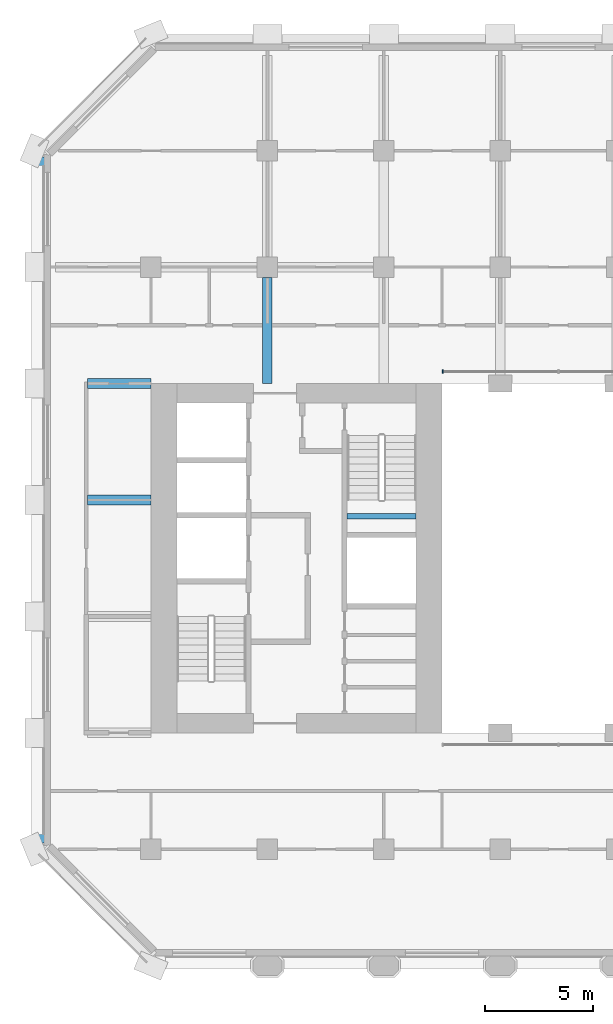
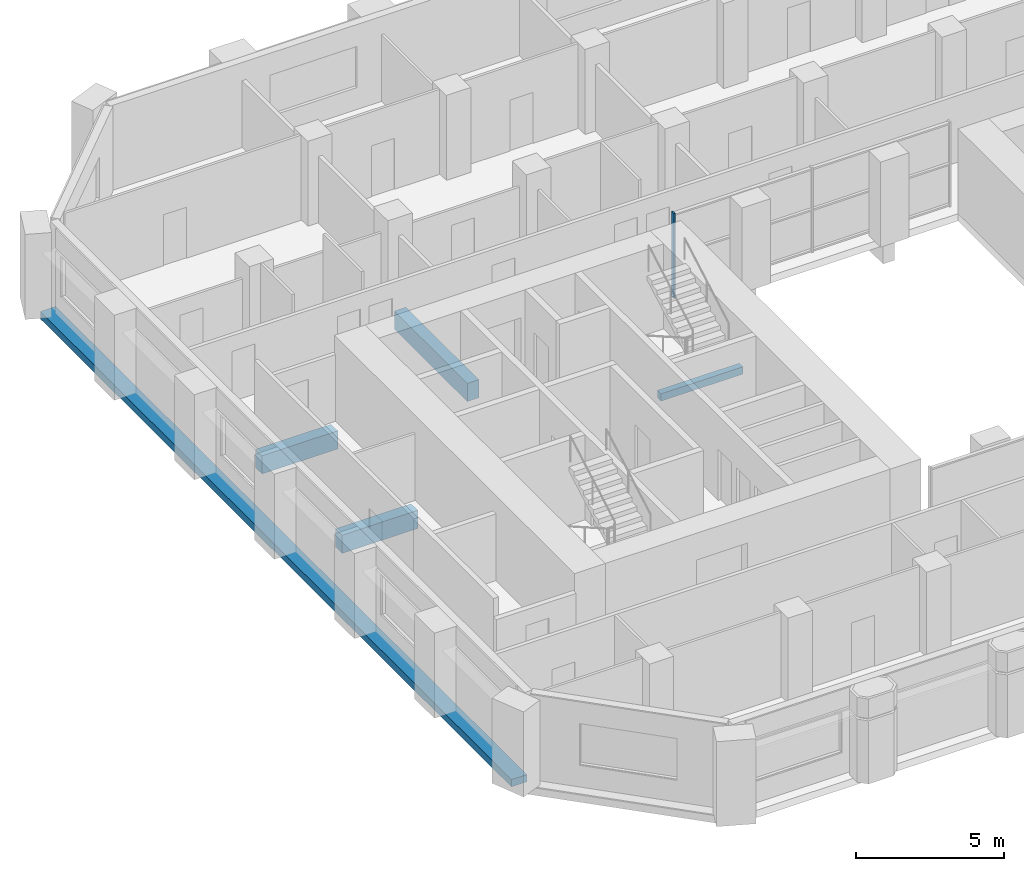
# One storey, part 3 of 13: 5 beams, 1 member, 1 element without a shape of its own.
"""IFC4 building model written with IfcOpenShell, lengths in metres."""

import ifcopenshell
import ifcopenshell.guid

model = None  # the IFC model being written
_history = None  # IfcOwnerHistory: only IFC2X3 demands one
_inside = {}  # id of a spatial element -> (the spatial element, [elements in it])
_under = {}  # id of a project, library or spatial element -> (it, [spatial elements below it])
_declared = {}  # id of a project -> (the project, [libraries it declares])
_typed = {}  # id of a type object -> (the type object, [elements of that type])
_made_of = {}  # id of a material, layer set ... -> (it, [elements and type objects made of it])


def new_model(schema):
    """Start an empty IFC model of exactly this schema.

    Asked for "IFC4X3", IfcOpenShell would pick the latest addendum, in which some entities
    have other attributes; the version numbers below select the first issue.
    IFC2X3 requires an IfcOwnerHistory on every rooted entity: one is made here for all.
    """
    global model, _history
    if schema == "IFC4X3":
        model = ifcopenshell.file(schema_version=(4, 3, 0, 0))
    else:
        model = ifcopenshell.file(schema=schema)
    _inside.clear()
    _under.clear()
    _declared.clear()
    _typed.clear()
    _made_of.clear()
    _history = None
    if model.schema == "IFC2X3":
        org = make("IfcOrganization", Name="unknown")
        user = make(
            "IfcPersonAndOrganization",
            ThePerson=make("IfcPerson", FamilyName="unknown"),
            TheOrganization=org,
        )
        app = make(
            "IfcApplication",
            ApplicationDeveloper=org,
            Version="unknown",
            ApplicationFullName="unknown",
            ApplicationIdentifier="unknown",
        )
        _history = make(
            "IfcOwnerHistory",
            OwningUser=user,
            OwningApplication=app,
            ChangeAction="ADDED",
            CreationDate=0,
        )
    return model


def make(cls, **values):
    """One entity of the class cls with the attributes given. An attribute that is None is left unset."""
    return model.create_entity(
        cls, **{name: value for name, value in values.items() if value is not None}
    )


def rooted(cls, **values):
    """An entity with a GlobalId (a new one), such as an element, a storey or a relation."""
    return make(cls, GlobalId=ifcopenshell.guid.new(), OwnerHistory=_history, **values)


def si_unit(unit_type, name, prefix=None):
    """IfcSIUnit, for example si_unit("LENGTHUNIT", "METRE", prefix="MILLI")."""
    return make("IfcSIUnit", UnitType=unit_type, Prefix=prefix, Name=name)


def assignment(units):
    """IfcUnitAssignment: the units of a project."""
    return None if units is None else make("IfcUnitAssignment", Units=units)


def point(xyz):
    """IfcCartesianPoint."""
    return None if xyz is None else make("IfcCartesianPoint", Coordinates=xyz)


def direction(xyz):
    """IfcDirection."""
    return None if xyz is None else make("IfcDirection", DirectionRatios=xyz)


def frame(location, z_axis=None, x_axis=None):
    """IfcAxis2Placement3D, a coordinate frame: its origin and axes. An axis left out is left unset."""
    return make(
        "IfcAxis2Placement3D",
        Location=point(location),
        Axis=direction(z_axis),
        RefDirection=direction(x_axis),
    )


def frame_2d(location, x_axis=None):
    """IfcAxis2Placement2D, a coordinate frame in the plane: its origin and x axis."""
    return make(
        "IfcAxis2Placement2D", Location=point(location), RefDirection=direction(x_axis)
    )


def origin():
    """The frame at (0, 0, 0) with its axes left unset."""
    return frame((0.0, 0.0, 0.0))


def origin_2d():
    """The frame at (0, 0) in the plane with its x axis left unset."""
    return frame_2d((0.0, 0.0))


def place(relative_to, where):
    """IfcLocalPlacement: puts the frame where relative to a parent placement (None: the world)."""
    return make(
        "IfcLocalPlacement", PlacementRelTo=relative_to, RelativePlacement=where
    )


def context(
    kind, dimensions, precision=None, world=None, true_north=None, identifier=None
):
    """IfcGeometricRepresentationContext, for example the 3D "Model" context."""
    return make(
        "IfcGeometricRepresentationContext",
        ContextIdentifier=identifier,
        ContextType=kind,
        CoordinateSpaceDimension=dimensions,
        Precision=precision,
        WorldCoordinateSystem=world,
        TrueNorth=true_north,
    )


def subcontext(parent, identifier, kind, view, scale=None):
    """IfcGeometricRepresentationSubContext, for example "Body" below "Model"."""
    return make(
        "IfcGeometricRepresentationSubContext",
        ContextIdentifier=identifier,
        ContextType=kind,
        ParentContext=parent,
        TargetScale=scale,
        TargetView=view,
    )


def project(units=None, contexts=None):
    """IfcProject with its units and contexts."""
    return rooted(
        "IfcProject",
        Name="project",
        RepresentationContexts=contexts,
        UnitsInContext=assignment(units),
    )


def spatial(cls, under=None, at=None, **own):
    """A site, building, storey or space (cls), placed at a placement, below another one or the project."""
    s = rooted(cls, ObjectPlacement=at, **own)
    if under is not None:
        _under.setdefault(under.id(), (under, []))[1].append(s)
    return s


def profile(cls, at=None, kind="AREA", **sizes):
    """A parametric profile (cls). Its sizes go by their IFC names, for example OverallWidth=200.0."""
    return make(cls, ProfileType=kind, Position=at, **sizes)


def rectangle(**sizes):
    """IfcRectangleProfileDef."""
    return profile("IfcRectangleProfileDef", **sizes)


def extrude(swept, where, along, depth):
    """IfcExtrudedAreaSolid: the profile swept, set in the frame where, extruded along a direction by depth."""
    return make(
        "IfcExtrudedAreaSolid",
        SweptArea=swept,
        Position=where,
        ExtrudedDirection=direction(along),
        Depth=depth,
    )


def shape(context_of_items, identifier, shape_type, items):
    """IfcShapeRepresentation: the items that make up one representation, for example the "Body"."""
    return make(
        "IfcShapeRepresentation",
        ContextOfItems=context_of_items,
        RepresentationIdentifier=identifier,
        RepresentationType=shape_type,
        Items=items,
    )


def material(Name=None, Category=None):
    """IfcMaterial."""
    return make("IfcMaterial", Name=Name, Category=Category)


def material_profile(
    of_material, cross_section, Name=None, Category=None, Priority=None
):
    """IfcMaterialProfile: a cross section and its material."""
    return make(
        "IfcMaterialProfile",
        Name=Name,
        Material=of_material,
        Profile=cross_section,
        Priority=Priority,
        Category=Category,
    )


def profile_set(profiles, Name=None, composite=None):
    """IfcMaterialProfileSet."""
    return make(
        "IfcMaterialProfileSet",
        Name=Name,
        MaterialProfiles=profiles,
        CompositeProfile=composite,
    )


def made_of(thing, what):
    """Note that an element or type object is made of a material, layer set ...; save() writes the relation."""
    if what is not None:
        _made_of.setdefault(what.id(), (what, []))[1].append(thing)
    return thing


def type_object(cls, material=None, **own):
    """A type object (cls), such as IfcWallType, which elements share."""
    return made_of(rooted(cls, **own), material)


def element(
    cls,
    number,
    at=None,
    inside=None,
    cuts=None,
    type_object=None,
    material=None,
    context=None,
    identifier="Body",
    shape_type=None,
    held_by="IfcProductDefinitionShape",
    body=None,
    shapes=None,
    **own,
):
    """One element of the class cls, such as IfcWall. Its Tag is "e" and its number.

    at: its placement. inside: the storey or other place that contains it. cuts: it is an
    opening in that element (IfcRelVoidsElement). A single representation is given by context,
    identifier, shape_type and body (its items); several are given by shapes. held_by: the class
    of the entity that holds the representations. save() writes the other relations.
    """
    e = rooted(cls, Tag="e%d" % number, ObjectPlacement=at, **own)
    if body is not None:
        shapes = [shape(context, identifier, shape_type, body)]
    if shapes is not None:
        e.Representation = make(held_by, Representations=shapes)
    if inside is not None:
        _inside.setdefault(inside.id(), (inside, []))[1].append(e)
    if cuts is not None:
        rooted(
            "IfcRelVoidsElement", RelatingBuildingElement=cuts, RelatedOpeningElement=e
        )
    if type_object is not None:
        _typed.setdefault(type_object.id(), (type_object, []))[1].append(e)
    return made_of(e, material)


def aggregate(whole, parts):
    """IfcRelAggregates: a whole, such as a stair, and the parts it consists of."""
    return rooted("IfcRelAggregates", RelatingObject=whole, RelatedObjects=parts)


def save(model, path):
    """Write the relations noted so far, then the file.

    IfcRelAggregates (storeys below a building ...), IfcRelContainedInSpatialStructure (elements
    in a storey), IfcRelDefinesByType, IfcRelAssociatesMaterial and IfcRelDeclares: one each for
    every whole, place, type object, material and project.
    """
    for whole, parts in _under.values():
        aggregate(whole, parts)
    for where, things in _inside.values():
        rooted(
            "IfcRelContainedInSpatialStructure",
            RelatedElements=things,
            RelatingStructure=where,
        )
    for kind, things in _typed.values():
        rooted("IfcRelDefinesByType", RelatedObjects=things, RelatingType=kind)
    for what, things in _made_of.values():
        rooted("IfcRelAssociatesMaterial", RelatedObjects=things, RelatingMaterial=what)
    for by, libraries in _declared.values():
        rooted("IfcRelDeclares", RelatingContext=by, RelatedDefinitions=libraries)
    model.write(path)


model = new_model("IFC4")

# Units and contexts
model_context = context("Model", 3, precision=1e-05, world=origin(), true_north=direction((0.0, 1.0)))
body_context = subcontext(model_context, "Body", "Model", "MODEL_VIEW")
ifc_project = project(units=[si_unit("LENGTHUNIT", "METRE"), si_unit("AREAUNIT", "SQUARE_METRE"), si_unit("VOLUMEUNIT", "CUBIC_METRE"), si_unit("PLANEANGLEUNIT", "RADIAN"), si_unit("MASSUNIT", "GRAM", prefix="KILO")], contexts=[model_context])

# Site, building, storey
site_placement = place(None, origin())
site = spatial("IfcSite", under=ifc_project, at=site_placement, CompositionType="ELEMENT")
building_placement = place(site_placement, origin())
building = spatial("IfcBuilding", under=site, at=building_placement, Name="Tabaq Tower and Sports Hall", CompositionType="ELEMENT")
storey_placement = place(building_placement, frame((0.0, 0.0, 103.0)))
storey = spatial("IfcBuildingStorey", under=building, at=storey_placement, Name="L24", CompositionType="ELEMENT", Elevation=103.0)

# Curtain wall, member
ifc_material_1 = material(Name="Aluminium alloy 6063-T6 framed glazing", Category="aluminium")
curtain_wall_type = type_object("IfcCurtainWallType", Name="CW1 curtain wall", PredefinedType="USERDEFINED", material=ifc_material_1)
curtain_wall_placement = place(storey_placement, origin())
curtain_wall = element("IfcCurtainWall", 1, at=curtain_wall_placement, inside=storey, type_object=curtain_wall_type, Name="Atrium glazing L24 N", ObjectType="ATRIUM ENCLOSURE", PredefinedType="USERDEFINED")
ifc_material_2 = material(Name="Aluminium alloy 6063-T6", Category="aluminium")
ifc_material_profile_1 = material_profile(ifc_material_2, rectangle(XDim=0.159912109375, YDim=0.06005859375, at=origin_2d()), Name="MULLION 160x60")
ifc_profile_set_1 = profile_set([ifc_material_profile_1], Name="Aluminium alloy 6063-T6")
member_type = type_object("IfcMemberType", Name="CW1 mullion 160x60", PredefinedType="MULLION", material=ifc_profile_set_1)
member_placement = place(storey_placement, frame((18.929931640625, 32.949951171875, 0.0), z_axis=(0.0, 0.0, 1.0), x_axis=(0.0, 1.0, 0.0)))
member = element("IfcMember", 2, at=member_placement, type_object=member_type, Name="CW1 mullion 1", PredefinedType="MULLION", context=body_context, shape_type="SweptSolid", body=[
    extrude(rectangle(XDim=0.159912109375, YDim=0.06005859375, at=origin_2d()), origin(), (0.0, 0.0, 1.0), 3.5),
])
aggregate(curtain_wall, [member])

# Beams
ifc_material_3 = material(Name="Concrete C40/50", Category="concrete")
ifc_material_profile_2 = material_profile(ifc_material_3, rectangle(XDim=0.449951171875, YDim=0.75, at=origin_2d()), Name="CB 450x750")
ifc_profile_set_2 = profile_set([ifc_material_profile_2], Name="Concrete C40/50")
beam_type_1 = type_object("IfcBeamType", Name="PT CANTILEVER BEAM CB 450x750 C40/50", PredefinedType="BEAM", material=ifc_profile_set_2)
for number, where, z_axis, x_axis, name in (
    (3, (2.449951171875, 27.0, -0.675048828125), (1.0, 0.0, 0.0), (0.0, 1.0, 0.0), "Cantilever Beam L24 W5 span 1"),
    (4, (2.449951171875, 32.39990234375, -0.675048828125), (1.0, 0.0, 0.0), (0.0, 1.0, 0.0), "Cantilever Beam L24 W6 span 1"),
):
    element("IfcBeam", number, at=place(storey_placement, frame(where, z_axis=z_axis, x_axis=x_axis)), inside=storey, type_object=beam_type_1, Name=name, PredefinedType="BEAM", context=body_context, shape_type="SweptSolid", body=[
        extrude(rectangle(XDim=0.449951171875, YDim=0.75, at=origin_2d()), origin(), (0.0, 0.0, 1.0), 2.949951171875),
    ])
beam_1_placement = place(storey_placement, frame((10.800048828125, 37.324951171875, -0.675048828125), z_axis=(0.0, -1.0, 0.0), x_axis=(1.0, 0.0, 0.0)))
element("IfcBeam", 5, at=beam_1_placement, inside=storey, type_object=beam_type_1, Name="Cantilever Beam L24 N2 span 3", PredefinedType="BEAM", context=body_context, shape_type="SweptSolid", body=[
    extrude(rectangle(XDim=0.449951171875, YDim=0.75, at=origin_2d()), origin(), (0.0, 0.0, 1.0), 4.925048828125),
])
ifc_material_4 = material(Name="Concrete C40/50", Category="concrete")
ifc_material_profile_3 = material_profile(ifc_material_4, rectangle(XDim=0.60009765625, YDim=0.300048828125, at=origin_2d()), Name="EB 600x300")
ifc_profile_set_3 = profile_set([ifc_material_profile_3], Name="Concrete C40/50")
beam_type_2 = type_object("IfcBeamType", Name="PT EDGE BEAM EB 600x300 C40/50", PredefinedType="SPANDREL", material=ifc_profile_set_3)
beam_2_placement = place(storey_placement, frame((0.300048828125, 42.9013671875, -0.14990234375), z_axis=(0.0, -1.0, 0.0), x_axis=(1.0, 0.0, 0.0)))
element("IfcBeam", 6, at=beam_2_placement, inside=storey, type_object=beam_type_2, Name="Edge Beam L24 4", PredefinedType="SPANDREL", context=body_context, shape_type="SweptSolid", body=[
    extrude(rectangle(XDim=0.60009765625, YDim=0.300048828125, at=origin_2d()), origin(), (0.0, 0.0, 1.0), 31.802734375),
])
ifc_material_5 = material(Name="Concrete C40/50", Category="concrete")
ifc_material_profile_4 = material_profile(ifc_material_5, rectangle(XDim=0.25, YDim=0.300048828125, at=origin_2d()), Name="RC 250x300")
ifc_profile_set_4 = profile_set([ifc_material_profile_4], Name="Concrete C40/50")
beam_type_3 = type_object("IfcBeamType", Name="Stair landing beam 250x300", PredefinedType="BEAM", material=ifc_profile_set_4)
beam_3_placement = place(storey_placement, frame((14.5, 26.25, 1.550048828125), z_axis=(1.0, 0.0, 0.0), x_axis=(0.0, 1.0, 0.0)))
element("IfcBeam", 7, at=beam_3_placement, inside=storey, type_object=beam_type_3, Name="L24 ST2 landing beam 1", PredefinedType="BEAM", context=body_context, shape_type="SweptSolid", body=[
    extrude(rectangle(XDim=0.25, YDim=0.300048828125, at=origin_2d()), origin(), (0.0, 0.0, 1.0), 3.199951171875),
])

save(model, "model.ifc")
